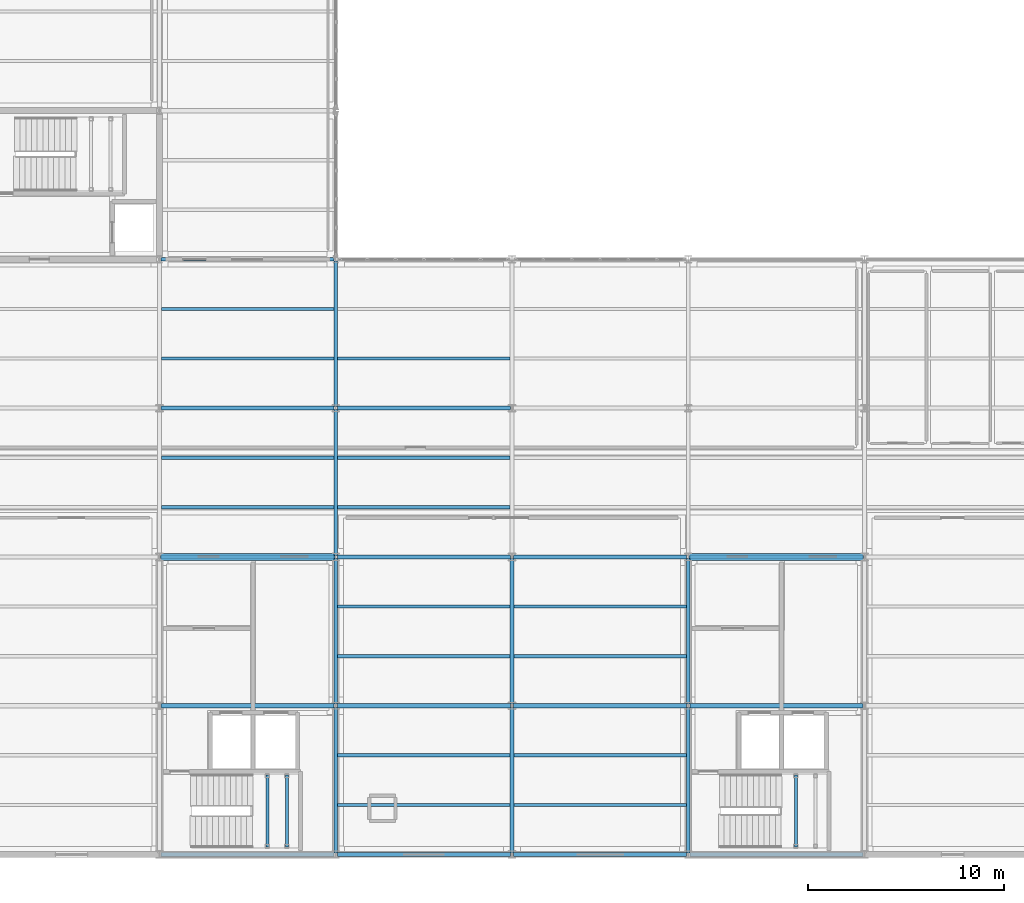
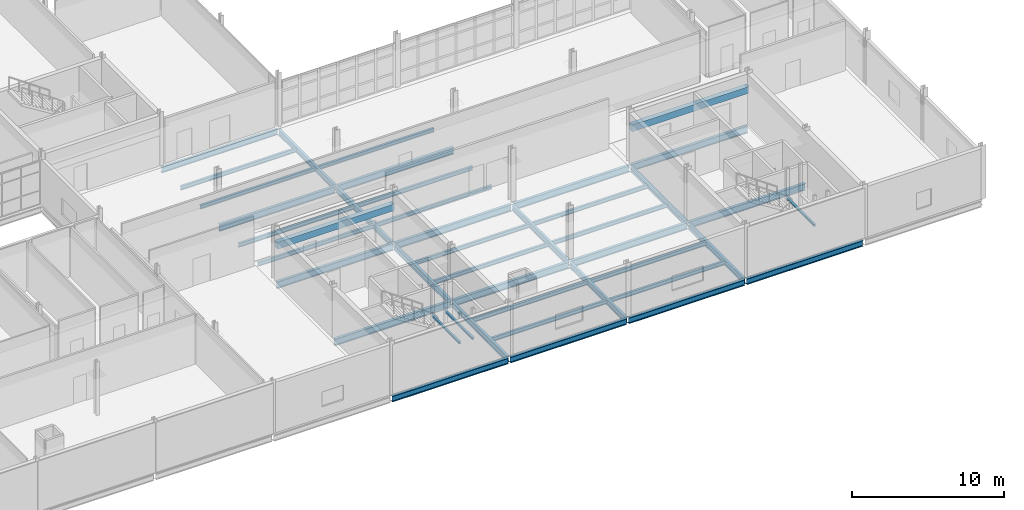
# One storey, part 52 of 174: 43 beams.
"""IFC4 building model written with IfcOpenShell, lengths in metres."""

from ifc_helpers import new_model, si_unit, direction, frame, origin, origin_2d, place, context, subcontext, project, spatial, rectangle, i_section, extrude, material, material_profile, profile_set, type_object, element, save


model = new_model("IFC4")

# Units and contexts
model_context = context("Model", 3, precision=1e-05, world=origin(), true_north=direction((0.0, 1.0)))
body_context = subcontext(model_context, "Body", "Model", "MODEL_VIEW")
ifc_project = project(units=[si_unit("LENGTHUNIT", "METRE"), si_unit("AREAUNIT", "SQUARE_METRE"), si_unit("VOLUMEUNIT", "CUBIC_METRE"), si_unit("PLANEANGLEUNIT", "RADIAN"), si_unit("MASSUNIT", "GRAM", prefix="KILO")], contexts=[model_context])

# Site, building, storey
site_placement = place(None, origin())
site = spatial("IfcSite", under=ifc_project, at=site_placement, CompositionType="ELEMENT")
building_placement = place(site_placement, origin())
building = spatial("IfcBuilding", under=site, at=building_placement, Name="Caisbarro Railhouse Central Library", CompositionType="ELEMENT")
storey_placement = place(building_placement, frame((0.0, 0.0, 5.0400390625)))
storey = spatial("IfcBuildingStorey", under=building, at=storey_placement, Name="L01", CompositionType="ELEMENT", Elevation=5.0400390625)

# Beams
ifc_material_1 = material(Name="Steel ASTM A572 Grade 50", Category="steel")
ifc_material_profile_1 = material_profile(ifc_material_1, i_section(OverallWidth=0.2119140625, OverallDepth=0.5439453125, WebThickness=0.01318359375, FlangeThickness=0.021240234375, FilletRadius=0.02001953125, at=origin_2d()), Name="W530X123.0")
ifc_profile_set_1 = profile_set([ifc_material_profile_1], Name="Steel ASTM A572 Grade 50")
beam_type_1 = type_object("IfcBeamType", Name="BM-G05", PredefinedType="BEAM", material=ifc_profile_set_1)
for number, where, z_axis, x_axis, name in (
    (1, (63.080078125, 7.60009765625, -0.511962890625), (1.0, 0.0, 0.0), (0.0, 1.0, 0.0), "G05 beam L01 #699"),
    (2, (72.080078125, 7.60009765625, -0.511962890625), (1.0, 0.0, 0.0), (0.0, 1.0, 0.0), "G05 beam L01 #700"),
    (3, (81.080078125, 7.60009765625, -0.511962890625), (1.0, 0.0, 0.0), (0.0, 1.0, 0.0), "G05 beam L01 #701"),
    (4, (90.080078125, 7.60009765625, -0.511962890625), (1.0, 0.0, 0.0), (0.0, 1.0, 0.0), "G05 beam L01 #702"),
    (5, (63.080078125, 15.199951171875, -0.511962890625), (1.0, 0.0, 0.0), (0.0, 1.0, 0.0), "G05 beam L01 #705"),
    (6, (72.080078125, 15.199951171875, -0.511962890625), (1.0, 0.0, 0.0), (0.0, 1.0, 0.0), "G05 beam L01 #706"),
    (7, (81.080078125, 15.199951171875, -0.511962890625), (1.0, 0.0, 0.0), (0.0, 1.0, 0.0), "G05 beam L01 #707"),
    (8, (90.080078125, 15.199951171875, -0.511962890625), (1.0, 0.0, 0.0), (0.0, 1.0, 0.0), "G05 beam L01 #708"),
    (9, (63.080078125, 22.800048828125, -0.511962890625), (1.0, 0.0, 0.0), (0.0, 1.0, 0.0), "G05 beam L01 #711"),
    (10, (72.080078125, 22.800048828125, -0.511962890625), (1.0, 0.0, 0.0), (0.0, 1.0, 0.0), "G05 beam L01 #712"),
):
    element("IfcBeam", number, at=place(storey_placement, frame(where, z_axis=z_axis, x_axis=x_axis)), inside=storey, type_object=beam_type_1, Name=name, PredefinedType="BEAM", context=body_context, shape_type="SweptSolid", body=[
        extrude(i_section(OverallWidth=0.2119140625, OverallDepth=0.5439453125, WebThickness=0.01318359375, FlangeThickness=0.021240234375, FilletRadius=0.02001953125, at=origin_2d()), origin(), (0.0, 0.0, 1.0), 8.83984375),
    ])
ifc_material_profile_2 = material_profile(ifc_material_1, i_section(OverallWidth=0.194091796875, OverallDepth=0.468994140625, WebThickness=0.0126953125, FlangeThickness=0.0205078125, FilletRadius=0.01806640625, at=origin_2d()), Name="W460X106.0")
ifc_profile_set_2 = profile_set([ifc_material_profile_2], Name="Steel ASTM A572 Grade 50")
beam_type_2 = type_object("IfcBeamType", Name="BM-G07", PredefinedType="BEAM", material=ifc_profile_set_2)
beam_1_placement = place(storey_placement, frame((72.0, 0.080078125, -0.474609375), z_axis=(0.0, 1.0, 0.0), x_axis=(-1.0, 0.0, 0.0)))
element("IfcBeam", 11, at=beam_1_placement, inside=storey, type_object=beam_type_2, Name="G07 beam L01 #730", PredefinedType="BEAM", context=body_context, shape_type="SweptSolid", body=[
    extrude(i_section(OverallWidth=0.194091796875, OverallDepth=0.468994140625, WebThickness=0.0126953125, FlangeThickness=0.0205078125, FilletRadius=0.01806640625, at=origin_2d()), origin(), (0.0, 0.0, 1.0), 7.43994140625),
])
beam_2_placement = place(storey_placement, frame((72.0, 7.679931640625, -0.474609375), z_axis=(0.0, 1.0, 0.0), x_axis=(-1.0, 0.0, 0.0)))
element("IfcBeam", 12, at=beam_2_placement, inside=storey, type_object=beam_type_2, Name="G07 beam L01 #731", PredefinedType="BEAM", context=body_context, shape_type="SweptSolid", body=[
    extrude(i_section(OverallWidth=0.194091796875, OverallDepth=0.468994140625, WebThickness=0.0126953125, FlangeThickness=0.0205078125, FilletRadius=0.01806640625, at=origin_2d()), origin(), (0.0, 0.0, 1.0), 7.440185546875),
])
beam_3_placement = place(storey_placement, frame((72.0, 15.280029296875, -0.474609375), z_axis=(0.0, 1.0, 0.0), x_axis=(-1.0, 0.0, 0.0)))
element("IfcBeam", 13, at=beam_3_placement, inside=storey, type_object=beam_type_2, Name="G07 beam L01 #732", PredefinedType="BEAM", context=body_context, shape_type="SweptSolid", body=[
    extrude(i_section(OverallWidth=0.194091796875, OverallDepth=0.468994140625, WebThickness=0.0126953125, FlangeThickness=0.0205078125, FilletRadius=0.01806640625, at=origin_2d()), origin(), (0.0, 0.0, 1.0), 7.43994140625),
])
beam_4_placement = place(storey_placement, frame((72.0, 22.8798828125, -0.474609375), z_axis=(0.0, 1.0, 0.0), x_axis=(-1.0, 0.0, 0.0)))
element("IfcBeam", 14, at=beam_4_placement, inside=storey, type_object=beam_type_2, Name="G07 beam L01 #733", PredefinedType="BEAM", context=body_context, shape_type="SweptSolid", body=[
    extrude(i_section(OverallWidth=0.194091796875, OverallDepth=0.468994140625, WebThickness=0.0126953125, FlangeThickness=0.0205078125, FilletRadius=0.01806640625, at=origin_2d()), origin(), (0.0, 0.0, 1.0), 7.440185546875),
])
beam_5_placement = place(storey_placement, frame((81.0, 0.080078125, -0.474609375), z_axis=(0.0, 1.0, 0.0), x_axis=(-1.0, 0.0, 0.0)))
element("IfcBeam", 15, at=beam_5_placement, inside=storey, type_object=beam_type_2, Name="G07 beam L01 #734", PredefinedType="BEAM", context=body_context, shape_type="SweptSolid", body=[
    extrude(i_section(OverallWidth=0.194091796875, OverallDepth=0.468994140625, WebThickness=0.0126953125, FlangeThickness=0.0205078125, FilletRadius=0.01806640625, at=origin_2d()), origin(), (0.0, 0.0, 1.0), 7.43994140625),
])
beam_6_placement = place(storey_placement, frame((81.0, 7.679931640625, -0.474609375), z_axis=(0.0, 1.0, 0.0), x_axis=(-1.0, 0.0, 0.0)))
element("IfcBeam", 16, at=beam_6_placement, inside=storey, type_object=beam_type_2, Name="G07 beam L01 #735", PredefinedType="BEAM", context=body_context, shape_type="SweptSolid", body=[
    extrude(i_section(OverallWidth=0.194091796875, OverallDepth=0.468994140625, WebThickness=0.0126953125, FlangeThickness=0.0205078125, FilletRadius=0.01806640625, at=origin_2d()), origin(), (0.0, 0.0, 1.0), 7.440185546875),
])
beam_7_placement = place(storey_placement, frame((90.0, 0.080078125, -0.474609375), z_axis=(0.0, 1.0, 0.0), x_axis=(-1.0, 0.0, 0.0)))
element("IfcBeam", 17, at=beam_7_placement, inside=storey, type_object=beam_type_2, Name="G07 beam L01 #738", PredefinedType="BEAM", context=body_context, shape_type="SweptSolid", body=[
    extrude(i_section(OverallWidth=0.194091796875, OverallDepth=0.468994140625, WebThickness=0.0126953125, FlangeThickness=0.0205078125, FilletRadius=0.01806640625, at=origin_2d()), origin(), (0.0, 0.0, 1.0), 7.43994140625),
])
beam_8_placement = place(storey_placement, frame((90.0, 7.679931640625, -0.474609375), z_axis=(0.0, 1.0, 0.0), x_axis=(-1.0, 0.0, 0.0)))
element("IfcBeam", 18, at=beam_8_placement, inside=storey, type_object=beam_type_2, Name="G07 beam L01 #739", PredefinedType="BEAM", context=body_context, shape_type="SweptSolid", body=[
    extrude(i_section(OverallWidth=0.194091796875, OverallDepth=0.468994140625, WebThickness=0.0126953125, FlangeThickness=0.0205078125, FilletRadius=0.01806640625, at=origin_2d()), origin(), (0.0, 0.0, 1.0), 7.440185546875),
])
ifc_material_profile_3 = material_profile(ifc_material_1, i_section(OverallWidth=0.1669921875, OverallDepth=0.31689453125, WebThickness=0.007568359375, FlangeThickness=0.01318359375, FilletRadius=0.011962890625, at=origin_2d()), Name="W310X52.0")
ifc_profile_set_3 = profile_set([ifc_material_profile_3], Name="Steel ASTM A572 Grade 50")
beam_type_3 = type_object("IfcBeamType", Name="BM-J02", PredefinedType="JOIST", material=ifc_profile_set_3)
for number, where, z_axis, x_axis, name in (
    (19, (63.096923828125, 17.7333984375, -0.3984375), (1.0, 0.0, 0.0), (0.0, 1.0, 0.0), "J02 beam L01 #758"),
    (20, (63.096923828125, 20.2666015625, -0.3984375), (1.0, 0.0, 0.0), (0.0, 1.0, 0.0), "J02 beam L01 #759"),
    (21, (63.096923828125, 25.333251953125, -0.3984375), (1.0, 0.0, 0.0), (0.0, 1.0, 0.0), "J02 beam L01 #760"),
    (22, (63.096923828125, 27.86669921875, -0.3984375), (1.0, 0.0, 0.0), (0.0, 1.0, 0.0), "J02 beam L01 #761"),
    (23, (72.096923828125, 2.533203125, -0.3984375), (1.0, 0.0, 0.0), (0.0, 1.0, 0.0), "J02 beam L01 #762"),
    (24, (72.096923828125, 5.066650390625, -0.3984375), (1.0, 0.0, 0.0), (0.0, 1.0, 0.0), "J02 beam L01 #763"),
    (25, (72.096923828125, 10.13330078125, -0.3984375), (1.0, 0.0, 0.0), (0.0, 1.0, 0.0), "J02 beam L01 #764"),
    (26, (72.096923828125, 12.666748046875, -0.3984375), (1.0, 0.0, 0.0), (0.0, 1.0, 0.0), "J02 beam L01 #765"),
    (27, (72.096923828125, 17.7333984375, -0.3984375), (1.0, 0.0, 0.0), (0.0, 1.0, 0.0), "J02 beam L01 #766"),
    (28, (72.096923828125, 20.2666015625, -0.3984375), (1.0, 0.0, 0.0), (0.0, 1.0, 0.0), "J02 beam L01 #767"),
    (29, (72.096923828125, 25.333251953125, -0.3984375), (1.0, 0.0, 0.0), (0.0, 1.0, 0.0), "J02 beam L01 #768"),
    (30, (81.096923828125, 2.533203125, -0.3984375), (1.0, 0.0, 0.0), (0.0, 1.0, 0.0), "J02 beam L01 #770"),
    (31, (81.096923828125, 5.066650390625, -0.3984375), (1.0, 0.0, 0.0), (0.0, 1.0, 0.0), "J02 beam L01 #771"),
    (32, (81.096923828125, 10.13330078125, -0.3984375), (1.0, 0.0, 0.0), (0.0, 1.0, 0.0), "J02 beam L01 #772"),
    (33, (81.096923828125, 12.666748046875, -0.3984375), (1.0, 0.0, 0.0), (0.0, 1.0, 0.0), "J02 beam L01 #773"),
):
    element("IfcBeam", number, at=place(storey_placement, frame(where, z_axis=z_axis, x_axis=x_axis)), inside=storey, type_object=beam_type_3, Name=name, PredefinedType="JOIST", context=body_context, shape_type="SweptSolid", body=[
        extrude(i_section(OverallWidth=0.1669921875, OverallDepth=0.31689453125, WebThickness=0.007568359375, FlangeThickness=0.01318359375, FilletRadius=0.011962890625, at=origin_2d()), origin(), (0.0, 0.0, 1.0), 8.80615234375),
    ])
ifc_material_2 = material(Name="Concrete C40", Category="concrete")
ifc_material_profile_4 = material_profile(ifc_material_2, rectangle(XDim=0.35009765625, YDim=0.550048828125, at=origin_2d()), Name="RC-LIN-350X550")
ifc_profile_set_4 = profile_set([ifc_material_profile_4], Name="Concrete C40")
beam_type_4 = type_object("IfcBeamType", Name="BM-LN01", PredefinedType="LINTEL", material=ifc_profile_set_4)
for number, where, z_axis, x_axis, name in (
    (34, (63.050048828125, 15.199951171875, 2.724853515625), (1.0, 0.0, 0.0), (0.0, 1.0, 0.0), "LN01 RC core coupling lintel K1 L01"),
    (35, (90.050048828125, 15.199951171875, 2.724853515625), (1.0, 0.0, 0.0), (0.0, 1.0, 0.0), "LN01 RC core coupling lintel K2 L01"),
):
    element("IfcBeam", number, at=place(storey_placement, frame(where, z_axis=z_axis, x_axis=x_axis)), inside=storey, type_object=beam_type_4, Name=name, PredefinedType="LINTEL", context=body_context, shape_type="SweptSolid", body=[
        extrude(rectangle(XDim=0.35009765625, YDim=0.550048828125, at=origin_2d()), origin(), (0.0, 0.0, 1.0), 8.89990234375),
    ])
ifc_material_profile_5 = material_profile(ifc_material_1, i_section(OverallWidth=0.152099609375, OverallDepth=0.152099609375, WebThickness=0.005859375, FlangeThickness=0.006591796875, FilletRadius=0.008056640625, at=origin_2d()), Name="W150X22.5")
ifc_profile_set_5 = profile_set([ifc_material_profile_5], Name="Steel ASTM A572 Grade 50")
beam_type_5 = type_object("IfcBeamType", Name="BM-SL01", PredefinedType="BEAM", material=ifc_profile_set_5)
for number, where, z_axis, x_axis, name in (
    (36, (68.5, 0.3798828125, 1.89404296875), (0.0, 1.0, 0.0), (-1.0, 0.0, 0.0), "SL01 Stair Landing Support Beam K1 L01 W"),
    (37, (69.5, 0.3798828125, 1.89404296875), (0.0, 1.0, 0.0), (-1.0, 0.0, 0.0), "SL01 Stair Landing Support Beam K1 L01 E"),
    (38, (95.5, 0.3798828125, 1.89404296875), (0.0, 1.0, 0.0), (-1.0, 0.0, 0.0), "SL01 Stair Landing Support Beam K2 L01 W"),
):
    element("IfcBeam", number, at=place(storey_placement, frame(where, z_axis=z_axis, x_axis=x_axis)), inside=storey, type_object=beam_type_5, Name=name, PredefinedType="BEAM", context=body_context, shape_type="SweptSolid", body=[
        extrude(i_section(OverallWidth=0.152099609375, OverallDepth=0.152099609375, WebThickness=0.005859375, FlangeThickness=0.006591796875, FilletRadius=0.008056640625, at=origin_2d()), origin(), (0.0, 0.0, 1.0), 3.690185546875),
    ])
ifc_material_profile_6 = material_profile(ifc_material_1, i_section(OverallWidth=0.18994140625, OverallDepth=0.45703125, WebThickness=0.009033203125, FlangeThickness=0.014404296875, FilletRadius=0.01806640625, at=origin_2d()), Name="W460X74.0")
ifc_profile_set_6 = profile_set([ifc_material_profile_6], Name="Steel ASTM A572 Grade 50")
beam_type_6 = type_object("IfcBeamType", Name="BM-SP01", PredefinedType="SPANDREL", material=ifc_profile_set_6)
for number, where, z_axis, x_axis, name in (
    (39, (63.080078125, 0.0, -0.468505859375), (1.0, 0.0, 0.0), (0.0, 1.0, 0.0), "SP01 beam L01 #693"),
    (40, (72.080078125, 0.0, -0.468505859375), (1.0, 0.0, 0.0), (0.0, 1.0, 0.0), "SP01 beam L01 #694"),
    (41, (81.080078125, 0.0, -0.468505859375), (1.0, 0.0, 0.0), (0.0, 1.0, 0.0), "SP01 beam L01 #695"),
    (42, (90.080078125, 0.0, -0.468505859375), (1.0, 0.0, 0.0), (0.0, 1.0, 0.0), "SP01 beam L01 #696"),
    (43, (63.080078125, 30.39990234375, -0.468505859375), (1.0, 0.0, 0.0), (0.0, 1.0, 0.0), "SP01 beam L01 #717"),
):
    element("IfcBeam", number, at=place(storey_placement, frame(where, z_axis=z_axis, x_axis=x_axis)), inside=storey, type_object=beam_type_6, Name=name, PredefinedType="SPANDREL", context=body_context, shape_type="SweptSolid", body=[
        extrude(i_section(OverallWidth=0.18994140625, OverallDepth=0.45703125, WebThickness=0.009033203125, FlangeThickness=0.014404296875, FilletRadius=0.01806640625, at=origin_2d()), origin(), (0.0, 0.0, 1.0), 8.83984375),
    ])

save(model, "model.ifc")
